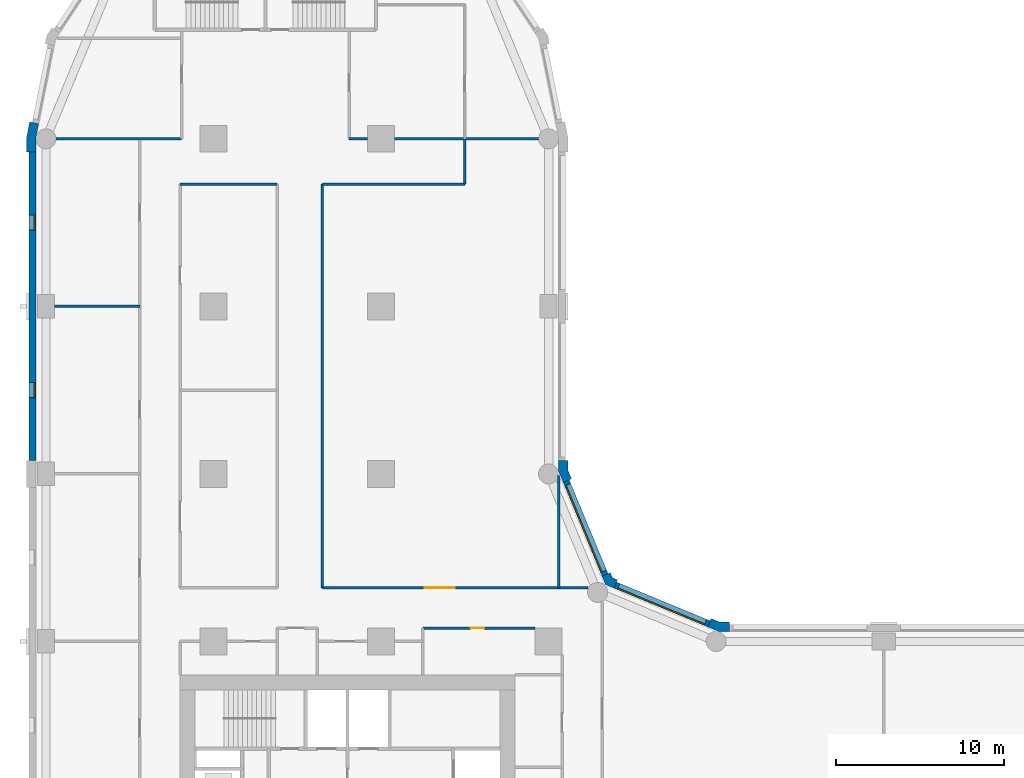
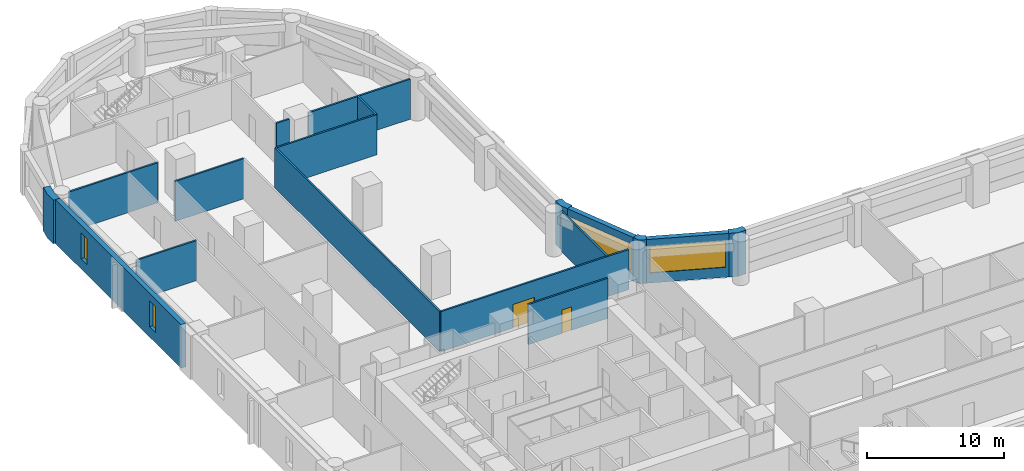
# One storey, part 6 of 11: 18 walls, 4 windows, 2 doors, 6 openings.
"""IFC4 building model written with IfcOpenShell, lengths in metres."""

from ifc_helpers import new_model, si_unit, direction, frame, frame_2d, origin, place, context, subcontext, project, spatial, polyline, rectangle, outline, extrude, material, layer, layer_set, type_object, element, fill, save


model = new_model("IFC4")

# Units and contexts
model_context = context("Model", 3, precision=1e-05, world=origin(), true_north=direction((0.0, 1.0)))
body_context = subcontext(model_context, "Body", "Model", "MODEL_VIEW")
ifc_project = project(units=[si_unit("LENGTHUNIT", "METRE"), si_unit("AREAUNIT", "SQUARE_METRE"), si_unit("VOLUMEUNIT", "CUBIC_METRE"), si_unit("PLANEANGLEUNIT", "RADIAN"), si_unit("MASSUNIT", "GRAM", prefix="KILO")], contexts=[model_context])

# Site, building, storey
site_placement = place(None, origin())
site = spatial("IfcSite", under=ifc_project, at=site_placement, CompositionType="ELEMENT")
building_placement = place(site_placement, origin())
building = spatial("IfcBuilding", under=site, at=building_placement, Name="Qaws Garden Tower", CompositionType="ELEMENT")
storey_placement = place(building_placement, frame((0.0, 0.0, 31.5)))
storey = spatial("IfcBuildingStorey", under=building, at=storey_placement, Name="L07", CompositionType="ELEMENT", Elevation=31.5)

# Wall, opening, window
ifc_material_1 = material(Name="Clay facing brick masonry", Category="masonry")
ifc_layer_1 = layer(ifc_material_1, 0.39990234375)
ifc_layer_set_1 = layer_set([ifc_layer_1], Name="Clay facing brick masonry")
wall_type_1 = type_object("IfcWallType", Name="Brick infill wall 400", PredefinedType="SOLIDWALL", material=ifc_layer_set_1)
wall_1_placement = place(storey_placement, frame((39.56689453125, 31.04541015625, 0.0), z_axis=(0.0, 0.0, 1.0), x_axis=(-0.923891000409, 0.382655745237, 0.0)))
wall_1 = element("IfcWall", 1, at=wall_1_placement, inside=storey, type_object=wall_type_1, Name="E-L07-infill-11", PredefinedType="SOLIDWALL", context=body_context, shape_type="SweptSolid", body=[
    extrude(rectangle(XDim=6.053466796875, YDim=0.39990234375, at=frame_2d((3.02685546875, 0.0))), origin(), (0.0, 0.0, 1.0), 3.89990234375),
])
opening_1_placement = place(wall_1_placement, frame((0.226806640625, 0.0, 0.89990234375)))
opening_1 = element("IfcOpeningElement", 2, at=opening_1_placement, cuts=wall_1, Name="Opening W04", PredefinedType="OPENING", context=body_context, shape_type="SweptSolid", body=[
    extrude(rectangle(XDim=5.60009765625, YDim=2.35009765625, at=frame_2d((2.800048828125, 1.175048828125))), frame((0.0, 0.2099609375, 0.0), z_axis=(0.0, -1.0, 0.0), x_axis=(1.0, 0.0, 0.0)), (0.0, 0.0, 1.0), 0.419921875),
])
ifc_material_2 = material(Name="Aluminium framed window, clear glazing", Category="aluminium")
window_type_1 = type_object("IfcWindowType", Name="Ribbon window 5600 x 2350", PartitioningType="DOUBLE_PANEL_VERTICAL", PredefinedType="WINDOW", material=ifc_material_2)
window_1_placement = place(opening_1_placement, origin())
window_1 = element("IfcWindow", 3, at=window_1_placement, inside=storey, type_object=window_type_1, Name="E-L07-window-11-0", OverallHeight=2.35009765625, OverallWidth=5.60009765625, PartitioningType="SINGLE_PANEL", PredefinedType="WINDOW", context=body_context, shape_type="SweptSolid", body=[
    extrude(rectangle(XDim=5.60009765625, YDim=2.35009765625, at=frame_2d((2.800048828125, 1.175048828125))), frame((0.0, 0.159912109375, 0.0), z_axis=(0.0, -1.0, 0.0), x_axis=(1.0, 0.0, 0.0)), (0.0, 0.0, 1.0), 0.06005859375),
])
fill(opening_1, window_1)

wall_2_placement = place(storey_placement, frame((33.36181640625, 33.97412109375, 0.0), z_axis=(0.0, 0.0, 1.0), x_axis=(-0.382655745237, 0.923891000409, 0.0)))
wall_2 = element("IfcWall", 4, at=wall_2_placement, inside=storey, type_object=wall_type_1, Name="E-L07-infill-12", PredefinedType="SOLIDWALL", context=body_context, shape_type="SweptSolid", body=[
    extrude(rectangle(XDim=6.053466796875, YDim=0.39990234375, at=frame_2d((3.02685546875, 0.0))), origin(), (0.0, 0.0, 1.0), 3.89990234375),
])
opening_2_placement = place(wall_2_placement, frame((0.226806640625, 0.0, 0.89990234375)))
opening_2 = element("IfcOpeningElement", 5, at=opening_2_placement, cuts=wall_2, Name="Opening W04", PredefinedType="OPENING", context=body_context, shape_type="SweptSolid", body=[
    extrude(rectangle(XDim=5.60009765625, YDim=2.35009765625, at=frame_2d((2.800048828125, 1.175048828125))), frame((0.0, 0.2099609375, 0.0), z_axis=(0.0, -1.0, 0.0), x_axis=(1.0, 0.0, 0.0)), (0.0, 0.0, 1.0), 0.419921875),
])
window_2_placement = place(opening_2_placement, origin())
window_2 = element("IfcWindow", 6, at=window_2_placement, inside=storey, type_object=window_type_1, Name="E-L07-window-12-0", OverallHeight=2.35009765625, OverallWidth=5.60009765625, PartitioningType="SINGLE_PANEL", PredefinedType="WINDOW", context=body_context, shape_type="SweptSolid", body=[
    extrude(rectangle(XDim=5.60009765625, YDim=2.35009765625, at=frame_2d((2.800048828125, 1.175048828125))), frame((0.0, 0.159912109375, 0.0), z_axis=(0.0, -1.0, 0.0), x_axis=(1.0, 0.0, 0.0)), (0.0, 0.0, 1.0), 0.06005859375),
])
fill(opening_2, window_2)

# Wall, openings, windows
wall_3_placement = place(storey_placement, frame((-0.800048828125, 59.199951171875, 0.0), z_axis=(0.0, 0.0, 1.0), x_axis=(0.0, -1.0, 0.0)))
wall_3 = element("IfcWall", 7, at=wall_3_placement, inside=storey, type_object=wall_type_1, Name="E-L07-infill-23", PredefinedType="SOLIDWALL", context=body_context, shape_type="SweptSolid", body=[
    extrude(rectangle(XDim=18.39990234375, YDim=0.39990234375, at=frame_2d((9.199951171875, 0.0))), origin(), (0.0, 0.0, 1.0), 3.89990234375),
])
opening_3_placement = place(wall_3_placement, frame((3.75, 0.0, 0.89990234375)))
opening_3 = element("IfcOpeningElement", 8, at=opening_3_placement, cuts=wall_3, Name="Opening W09", PredefinedType="OPENING", context=body_context, shape_type="SweptSolid", body=[
    extrude(rectangle(XDim=0.89990234375, YDim=2.35009765625, at=frame_2d((0.449951171875, 1.175048828125))), frame((0.0, 0.2099609375, 0.0), z_axis=(0.0, -1.0, 0.0), x_axis=(1.0, 0.0, 0.0)), (0.0, 0.0, 1.0), 0.419921875),
])
opening_4_placement = place(wall_3_placement, frame((13.75, 0.0, 0.89990234375)))
opening_4 = element("IfcOpeningElement", 9, at=opening_4_placement, cuts=wall_3, Name="Opening W09", PredefinedType="OPENING", context=body_context, shape_type="SweptSolid", body=[
    extrude(rectangle(XDim=0.89990234375, YDim=2.35009765625, at=frame_2d((0.449951171875, 1.175048828125))), frame((0.0, 0.2099609375, 0.0), z_axis=(0.0, -1.0, 0.0), x_axis=(1.0, 0.0, 0.0)), (0.0, 0.0, 1.0), 0.419921875),
])
ifc_material_3 = material(Name="Aluminium framed window, clear glazing", Category="aluminium")
window_type_2 = type_object("IfcWindowType", Name="Slit window 900 x 2350", PartitioningType="SINGLE_PANEL", PredefinedType="WINDOW", material=ifc_material_3)
window_3_placement = place(opening_3_placement, origin())
window_3 = element("IfcWindow", 10, at=window_3_placement, inside=storey, type_object=window_type_2, Name="E-L07-window-23-0", OverallHeight=2.35009765625, OverallWidth=0.89990234375, PartitioningType="SINGLE_PANEL", PredefinedType="WINDOW", context=body_context, shape_type="SweptSolid", body=[
    extrude(rectangle(XDim=0.89990234375, YDim=2.35009765625, at=frame_2d((0.449951171875, 1.175048828125))), frame((0.0, 0.159912109375, 0.0), z_axis=(0.0, -1.0, 0.0), x_axis=(1.0, 0.0, 0.0)), (0.0, 0.0, 1.0), 0.06005859375),
])
fill(opening_3, window_3)
window_4_placement = place(opening_4_placement, origin())
window_4 = element("IfcWindow", 11, at=window_4_placement, inside=storey, type_object=window_type_2, Name="E-L07-window-24-0", OverallHeight=2.35009765625, OverallWidth=0.89990234375, PartitioningType="SINGLE_PANEL", PredefinedType="WINDOW", context=body_context, shape_type="SweptSolid", body=[
    extrude(rectangle(XDim=0.89990234375, YDim=2.35009765625, at=frame_2d((0.449951171875, 1.175048828125))), frame((0.0, 0.159912109375, 0.0), z_axis=(0.0, -1.0, 0.0), x_axis=(1.0, 0.0, 0.0)), (0.0, 0.0, 1.0), 0.06005859375),
])
fill(opening_4, window_4)

# Walls
ifc_material_4 = material(Name="Clay facing brick masonry", Category="masonry")
ifc_layer_2 = layer(ifc_material_4, 0.550048828125)
ifc_layer_set_2 = layer_set([ifc_layer_2], Name="Clay facing brick masonry")
wall_type_2 = type_object("IfcWallType", Name="Brick pier 550 x 1600", PredefinedType="SOLIDWALL", material=ifc_layer_set_2)
placement = place(storey_placement, origin())
element("IfcWall", 12, at=placement, inside=storey, type_object=wall_type_2, Name="E-L07-pier-11", PredefinedType="SOLIDWALL", context=body_context, shape_type="SweptSolid", body=[
    extrude(outline(polyline([(40.800048828125, 31.0), (40.800048828125, 31.14990234375), (40.228759765625, 31.14990234375), (39.700927734375, 31.36865234375), (39.6435546875, 31.22998046875), (39.490478515625, 30.860595703125), (40.119384765625, 30.60009765625), (40.800048828125, 30.60009765625), (40.800048828125, 31.0)])), origin(), (0.0, 0.0, 1.0), 3.89990234375),
])
element("IfcWall", 13, at=placement, inside=storey, type_object=wall_type_2, Name="E-L07-pier-12", PredefinedType="SOLIDWALL", context=body_context, shape_type="SweptSolid", body=[
    extrude(outline(polyline([(34.05078125, 33.546630859375), (34.108154296875, 33.685302734375), (33.80908203125, 33.80908203125), (33.685302734375, 34.108154296875), (33.546630859375, 34.05078125), (33.177001953125, 33.897705078125), (33.38818359375, 33.38818359375), (33.897705078125, 33.177001953125), (34.05078125, 33.546630859375)])), origin(), (0.0, 0.0, 1.0), 3.89990234375),
])
element("IfcWall", 14, at=placement, inside=storey, type_object=wall_type_2, Name="E-L07-pier-13", PredefinedType="SOLIDWALL", context=body_context, shape_type="SweptSolid", body=[
    extrude(outline(polyline([(31.22998046875, 39.6435546875), (31.36865234375, 39.700927734375), (31.14990234375, 40.228759765625), (31.14990234375, 40.800048828125), (31.0, 40.800048828125), (30.60009765625, 40.800048828125), (30.60009765625, 40.119384765625), (30.860595703125, 39.490478515625), (31.22998046875, 39.6435546875)])), origin(), (0.0, 0.0, 1.0), 3.89990234375),
])
element("IfcWall", 15, at=placement, inside=storey, type_object=wall_type_2, Name="E-L07-pier-23", PredefinedType="SOLIDWALL", context=body_context, shape_type="SweptSolid", body=[
    extrude(outline(polyline([(-0.82470703125, 60.979736328125), (-0.971923828125, 61.009033203125), (-1.14990234375, 60.11328125), (-1.14990234375, 59.199951171875), (-1.0, 59.199951171875), (-0.60009765625, 59.199951171875), (-0.60009765625, 60.05908203125), (-0.432373046875, 60.901611328125), (-0.82470703125, 60.979736328125)])), origin(), (0.0, 0.0, 1.0), 3.89990234375),
])
ifc_material_5 = material(Name="Gypsum board partition")
ifc_layer_3 = layer(ifc_material_5, 0.14990234375)
ifc_layer_set_3 = layer_set([ifc_layer_3], Name="Gypsum board partition")
wall_type_3 = type_object("IfcWallType", Name="PARTITION 150 EI 60", PredefinedType="PARTITIONING", material=ifc_layer_set_3)
wall_8_placement = place(storey_placement, frame((16.5, 33.199951171875, 0.0), z_axis=(0.0, 0.0, 1.0), x_axis=(0.0, 1.0, 0.0)))
element("IfcWall", 16, at=wall_8_placement, inside=storey, type_object=wall_type_3, Name="O-L07-wall-013", PredefinedType="PARTITIONING", context=body_context, shape_type="SweptSolid", body=[
    extrude(rectangle(XDim=24.10009765625, YDim=0.14990234375, at=frame_2d((12.050048828125, 0.0))), origin(), (0.0, 0.0, 1.0), 3.580078125),
])
wall_9_placement = place(storey_placement, frame((25.0, 57.300048828125, 0.0), z_axis=(0.0, 0.0, 1.0), x_axis=(0.0, 1.0, 0.0)))
element("IfcWall", 17, at=wall_9_placement, inside=storey, type_object=wall_type_3, Name="O-L07-wall-017", PredefinedType="PARTITIONING", context=body_context, shape_type="SweptSolid", body=[
    extrude(rectangle(XDim=2.699951171875, YDim=0.14990234375, at=frame_2d((1.35009765625, 0.0))), origin(), (0.0, 0.0, 1.0), 3.580078125),
])
wall_10_placement = place(storey_placement, frame((30.60009765625, 33.199951171875, 0.0), z_axis=(0.0, 0.0, 1.0), x_axis=(0.0, 1.0, 0.0)))
element("IfcWall", 18, at=wall_10_placement, inside=storey, type_object=wall_type_3, Name="O-L07-wall-021", PredefinedType="PARTITIONING", context=body_context, shape_type="SweptSolid", body=[
    extrude(rectangle(XDim=6.698974609375, YDim=0.14990234375, at=frame_2d((3.349609375, 0.0))), origin(), (0.0, 0.0, 1.0), 3.580078125),
])

# Wall, opening, door
wall_11_placement = place(storey_placement, frame((22.5, 30.800048828125, 0.0), z_axis=(0.0, 0.0, 1.0), x_axis=(1.0, 0.0, 0.0)))
wall_11 = element("IfcWall", 19, at=wall_11_placement, inside=storey, type_object=wall_type_3, Name="O-L07-wall-057", PredefinedType="PARTITIONING", context=body_context, shape_type="SweptSolid", body=[
    extrude(rectangle(XDim=6.699951171875, YDim=0.14990234375, at=frame_2d((3.35009765625, 0.0))), origin(), (0.0, 0.0, 1.0), 3.580078125),
])
opening_5_placement = place(wall_11_placement, frame((2.85009765625, 0.0, 0.0)))
opening_5 = element("IfcOpeningElement", 20, at=opening_5_placement, cuts=wall_11, Name="Opening A216", PredefinedType="OPENING", context=body_context, shape_type="SweptSolid", body=[
    extrude(rectangle(XDim=0.800048828125, YDim=2.10009765625, at=frame_2d((0.39990234375, 1.050048828125))), frame((0.0, 0.0849609375, 0.0), z_axis=(0.0, -1.0, 0.0), x_axis=(1.0, 0.0, 0.0)), (0.0, 0.0, 1.0), 0.169921875),
])
ifc_material_6 = material(Name="Timber door leaf", Category="wood")
door_type_1 = type_object("IfcDoorType", Name="STORE DOOR 800 X 2100", OperationType="SINGLE_SWING_LEFT", PredefinedType="DOOR", material=ifc_material_6)
door_1_placement = place(opening_5_placement, frame((0.800048828125, 0.0, 0.0), z_axis=(0.0, 0.0, 1.0), x_axis=(-1.0, 0.0, 0.0)))
door_1 = element("IfcDoor", 21, at=door_1_placement, inside=storey, type_object=door_type_1, Name="O-L07-door-016", OperationType="SINGLE_SWING_LEFT", OverallHeight=2.10009765625, OverallWidth=0.800048828125, PredefinedType="DOOR", context=body_context, shape_type="SweptSolid", body=[
    extrude(rectangle(XDim=0.800048828125, YDim=2.10009765625, at=frame_2d((0.39990234375, 1.050048828125))), frame((0.0, 0.02490234375, 0.0), z_axis=(0.0, -1.0, 0.0), x_axis=(1.0, 0.0, 0.0)), (0.0, 0.0, 1.0), 0.050048828125),
])
fill(opening_5, door_1)

wall_12_placement = place(storey_placement, frame((16.5, 33.199951171875, 0.0), z_axis=(0.0, 0.0, 1.0), x_axis=(1.0, 0.0, 0.0)))
wall_12 = element("IfcWall", 22, at=wall_12_placement, inside=storey, type_object=wall_type_3, Name="O-L07-wall-059", PredefinedType="PARTITIONING", context=body_context, shape_type="SweptSolid", body=[
    extrude(rectangle(XDim=15.862060546875, YDim=0.14990234375, at=frame_2d((7.93115234375, 0.0))), origin(), (0.0, 0.0, 1.0), 3.580078125),
])
opening_6_placement = place(wall_12_placement, frame((6.10009765625, 0.0, 0.0)))
opening_6 = element("IfcOpeningElement", 23, at=opening_6_placement, cuts=wall_12, Name="Opening A219", PredefinedType="OPENING", context=body_context, shape_type="SweptSolid", body=[
    extrude(rectangle(XDim=1.800048828125, YDim=2.10009765625, at=frame_2d((0.89990234375, 1.050048828125))), frame((0.0, 0.0849609375, 0.0), z_axis=(0.0, -1.0, 0.0), x_axis=(1.0, 0.0, 0.0)), (0.0, 0.0, 1.0), 0.169921875),
])
ifc_material_7 = material(Name="Timber door leaf", Category="wood")
door_type_2 = type_object("IfcDoorType", Name="DOUBLE DOOR 1800 X 2100", OperationType="DOUBLE_DOOR_SINGLE_SWING", PredefinedType="DOOR", material=ifc_material_7)
door_2_placement = place(opening_6_placement, origin())
door_2 = element("IfcDoor", 24, at=door_2_placement, inside=storey, type_object=door_type_2, Name="O-L07-door-019", OperationType="DOUBLE_DOOR_SINGLE_SWING", OverallHeight=2.10009765625, OverallWidth=1.800048828125, PredefinedType="DOOR", context=body_context, shape_type="SweptSolid", body=[
    extrude(rectangle(XDim=1.800048828125, YDim=2.10009765625, at=frame_2d((0.89990234375, 1.050048828125))), frame((0.0, 0.02490234375, 0.0), z_axis=(0.0, -1.0, 0.0), x_axis=(1.0, 0.0, 0.0)), (0.0, 0.0, 1.0), 0.050048828125),
])
fill(opening_6, door_2)

# Walls
wall_13_placement = place(storey_placement, frame((0.5, 50.0, 0.0), z_axis=(0.0, 0.0, 1.0), x_axis=(1.0, 0.0, 0.0)))
element("IfcWall", 25, at=wall_13_placement, inside=storey, type_object=wall_type_3, Name="O-L07-wall-062", PredefinedType="PARTITIONING", context=body_context, shape_type="SweptSolid", body=[
    extrude(rectangle(XDim=5.10009765625, YDim=0.14990234375, at=frame_2d((2.550048828125, 0.0))), origin(), (0.0, 0.0, 1.0), 3.580078125),
])
wall_14_placement = place(storey_placement, frame((8.0, 57.300048828125, 0.0), z_axis=(0.0, 0.0, 1.0), x_axis=(1.0, 0.0, 0.0)))
element("IfcWall", 26, at=wall_14_placement, inside=storey, type_object=wall_type_3, Name="O-L07-wall-063", PredefinedType="PARTITIONING", context=body_context, shape_type="SweptSolid", body=[
    extrude(rectangle(XDim=5.800048828125, YDim=0.14990234375, at=frame_2d((2.89990234375, 0.0))), origin(), (0.0, 0.0, 1.0), 3.580078125),
])
wall_15_placement = place(storey_placement, frame((16.5, 57.300048828125, 0.0), z_axis=(0.0, 0.0, 1.0), x_axis=(1.0, 0.0, 0.0)))
element("IfcWall", 27, at=wall_15_placement, inside=storey, type_object=wall_type_3, Name="O-L07-wall-064", PredefinedType="PARTITIONING", context=body_context, shape_type="SweptSolid", body=[
    extrude(rectangle(XDim=8.5, YDim=0.14990234375, at=frame_2d((4.25, 0.0))), origin(), (0.0, 0.0, 1.0), 3.580078125),
])
wall_16_placement = place(storey_placement, frame((0.60009765625, 60.0, 0.0), z_axis=(0.0, 0.0, 1.0), x_axis=(1.0, 0.0, 0.0)))
element("IfcWall", 28, at=wall_16_placement, inside=storey, type_object=wall_type_3, Name="O-L07-wall-065", PredefinedType="PARTITIONING", context=body_context, shape_type="SweptSolid", body=[
    extrude(rectangle(XDim=7.5, YDim=0.14990234375, at=frame_2d((3.75, 0.0))), origin(), (0.0, 0.0, 1.0), 3.580078125),
])
wall_17_placement = place(storey_placement, frame((18.10009765625, 60.0, 0.0), z_axis=(0.0, 0.0, 1.0), x_axis=(1.0, 0.0, 0.0)))
element("IfcWall", 29, at=wall_17_placement, inside=storey, type_object=wall_type_3, Name="O-L07-wall-066", PredefinedType="PARTITIONING", context=body_context, shape_type="SweptSolid", body=[
    extrude(rectangle(XDim=1.099853515625, YDim=0.14990234375, at=frame_2d((0.5498046875, 0.0))), origin(), (0.0, 0.0, 1.0), 3.580078125),
])
wall_18_placement = place(storey_placement, frame((20.800048828125, 60.0, 0.0), z_axis=(0.0, 0.0, 1.0), x_axis=(1.0, 0.0, 0.0)))
element("IfcWall", 30, at=wall_18_placement, inside=storey, type_object=wall_type_3, Name="O-L07-wall-067", PredefinedType="PARTITIONING", context=body_context, shape_type="SweptSolid", body=[
    extrude(rectangle(XDim=8.599853515625, YDim=0.14990234375, at=frame_2d((4.2998046875, 0.0))), origin(), (0.0, 0.0, 1.0), 3.580078125),
])

save(model, "model.ifc")
